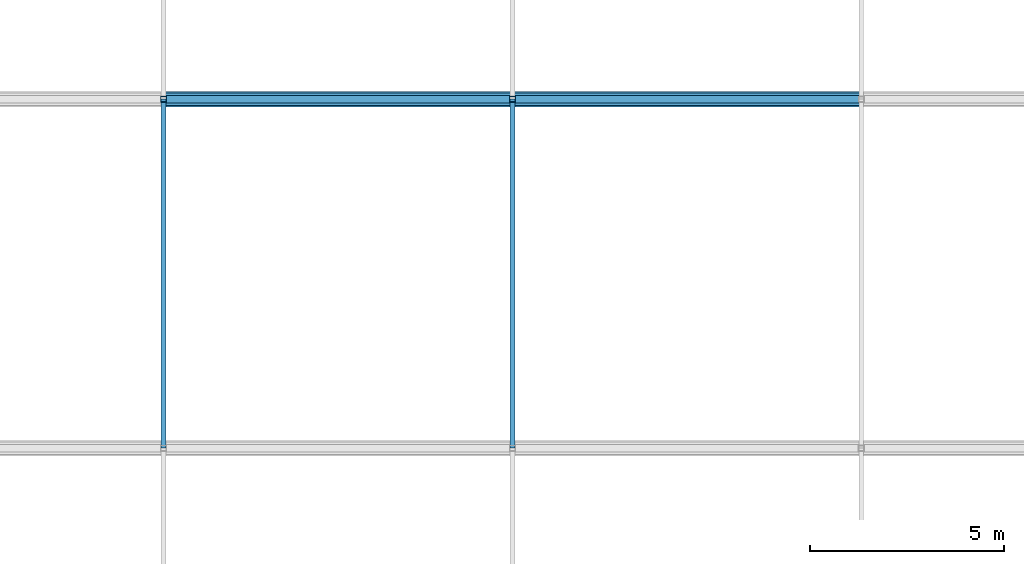
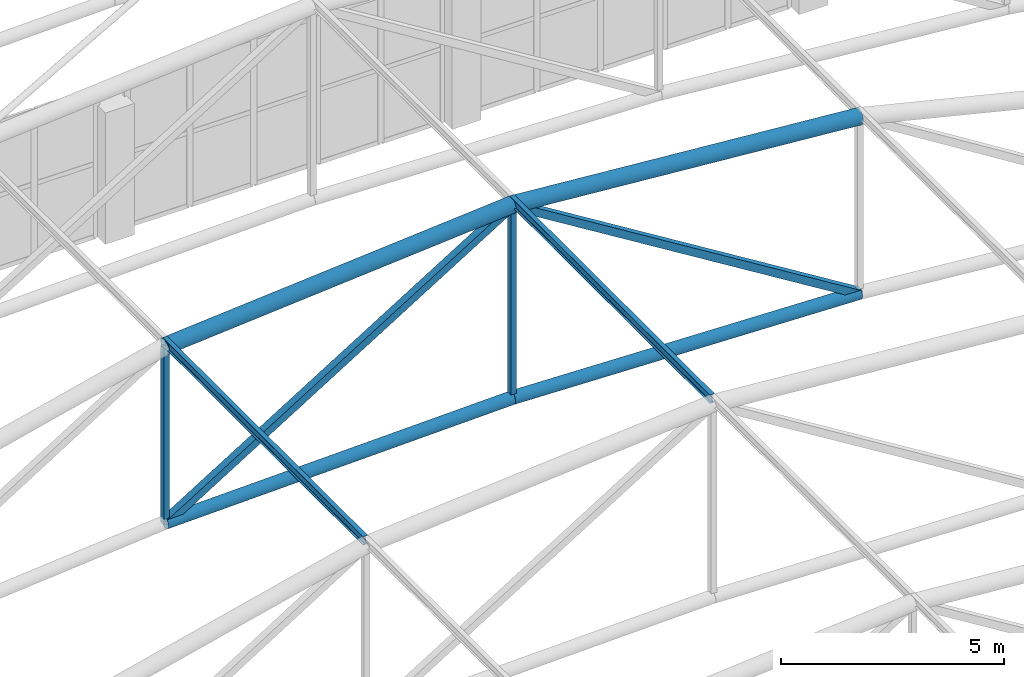
# One storey, part 57 of 167: 10 members.
"""IFC4 building model written with IfcOpenShell, lengths in metres."""

from ifc_helpers import new_model, si_unit, direction, frame, origin, origin_2d, place, context, subcontext, project, spatial, hollow_rectangle, hollow_circle, i_section, extrude, material, material_profile, profile_set, type_object, element, save


model = new_model("IFC4")

# Units and contexts
model_context = context("Model", 3, precision=1e-05, world=origin(), true_north=direction((0.0, 1.0)))
body_context = subcontext(model_context, "Body", "Model", "MODEL_VIEW")
ifc_project = project(units=[si_unit("LENGTHUNIT", "METRE"), si_unit("AREAUNIT", "SQUARE_METRE"), si_unit("VOLUMEUNIT", "CUBIC_METRE"), si_unit("PLANEANGLEUNIT", "RADIAN"), si_unit("MASSUNIT", "GRAM", prefix="KILO")], contexts=[model_context])

# Site, building, storey
site_placement = place(None, origin())
site = spatial("IfcSite", under=ifc_project, at=site_placement, CompositionType="ELEMENT")
building_placement = place(site_placement, origin())
building = spatial("IfcBuilding", under=site, at=building_placement, Name="Dornveld Trade and Exhibition Forum", CompositionType="ELEMENT")
storey_placement = place(building_placement, frame((0.0, 0.0, 16.800048828125)))
storey = spatial("IfcBuildingStorey", under=building, at=storey_placement, Name="L03", CompositionType="ELEMENT", Elevation=16.800048828125)

# Members
ifc_material_1 = material(Name="Steel S355J2", Category="steel")
ifc_material_profile_1 = material_profile(ifc_material_1, hollow_circle(Radius=0.161865234375, WallThickness=0.01611328125, at=origin_2d()), Name="CHS 323.9x16")
ifc_profile_set_1 = profile_set([ifc_material_profile_1], Name="Steel S355J2")
member_type_1 = type_object("IfcMemberType", Name="MEM-ARCH-BC", PredefinedType="CHORD", material=ifc_profile_set_1)
for number, where, z_axis, x_axis, name in (
    (1, (45.0, 117.0, 6.083251953125), (0.999561545365, 0.0, 0.029609407757), (0.0, 1.0, 0.0), "H3 truss 10 tie chord 3"),
    (2, (54.0, 117.0, 6.349853515625), (0.999561545365, 0.0, -0.029609407757), (0.0, 1.0, 0.0), "H3 truss 10 tie chord 4"),
):
    element("IfcMember", number, at=place(storey_placement, frame(where, z_axis=z_axis, x_axis=x_axis)), inside=storey, type_object=member_type_1, Name=name, PredefinedType="CHORD", context=body_context, shape_type="SweptSolid", body=[
        extrude(hollow_circle(Radius=0.161865234375, WallThickness=0.01611328125, at=origin_2d()), origin(), (0.0, 0.0, 1.0), 9.00390625),
    ])
ifc_material_2 = material(Name="Steel S355J2", Category="steel")
ifc_material_profile_2 = material_profile(ifc_material_2, hollow_rectangle(XDim=0.14990234375, YDim=0.14990234375, WallThickness=0.008056640625, at=origin_2d()), Name="SHS 150x150x8")
ifc_profile_set_2 = profile_set([ifc_material_profile_2], Name="Steel S355J2")
member_type_2 = type_object("IfcMemberType", Name="MEM-ARCH-STR", PredefinedType="STRUT", material=ifc_profile_set_2)
member_1_placement = place(storey_placement, frame((45.0, 117.0, 6.083251953125), z_axis=(0.0, 0.0, 1.0), x_axis=(1.0, 0.0, 0.0)))
element("IfcMember", 3, at=member_1_placement, inside=storey, type_object=member_type_2, Name="H3 truss 10 strut 3", PredefinedType="STRUT", context=body_context, shape_type="SweptSolid", body=[
    extrude(hollow_rectangle(XDim=0.14990234375, YDim=0.14990234375, WallThickness=0.008056640625, at=origin_2d()), origin(), (0.0, 0.0, 1.0), 4.83349609375),
])
member_2_placement = place(storey_placement, frame((54.0, 117.0, 6.349853515625), z_axis=(0.0, 0.0, 1.0), x_axis=(1.0, 0.0, 0.0)))
element("IfcMember", 4, at=member_2_placement, inside=storey, type_object=member_type_2, Name="H3 truss 10 strut 4", PredefinedType="STRUT", context=body_context, shape_type="SweptSolid", body=[
    extrude(hollow_rectangle(XDim=0.14990234375, YDim=0.14990234375, WallThickness=0.008056640625, at=origin_2d()), origin(), (0.0, 0.0, 1.0), 5.300048828125),
])
ifc_material_3 = material(Name="Steel S355J2", Category="steel")
ifc_material_profile_3 = material_profile(ifc_material_3, hollow_circle(Radius=0.203125, WallThickness=0.02001953125, at=origin_2d()), Name="CHS 406.4x20")
ifc_profile_set_3 = profile_set([ifc_material_profile_3], Name="Steel S355J2")
member_type_3 = type_object("IfcMemberType", Name="MEM-ARCH-TC", PredefinedType="CHORD", material=ifc_profile_set_3)
for number, where, z_axis, x_axis, name in (
    (5, (45.0, 117.0, 10.916748046875), (0.996698427641, 0.0, 0.081192637213), (0.0, 1.0, 0.0), "H3 truss 10 top chord 3"),
    (6, (54.0, 117.0, 11.64990234375), (0.996698427641, 0.0, -0.081192637213), (0.0, 1.0, 0.0), "H3 truss 10 top chord 4"),
):
    element("IfcMember", number, at=place(storey_placement, frame(where, z_axis=z_axis, x_axis=x_axis)), inside=storey, type_object=member_type_3, Name=name, PredefinedType="CHORD", context=body_context, shape_type="SweptSolid", body=[
        extrude(hollow_circle(Radius=0.203125, WallThickness=0.02001953125, at=origin_2d()), origin(), (0.0, 0.0, 1.0), 9.02978515625),
    ])
ifc_material_4 = material(Name="Steel S355J2", Category="steel")
ifc_material_profile_4 = material_profile(ifc_material_4, hollow_rectangle(XDim=0.199951171875, YDim=0.199951171875, WallThickness=0.010009765625, at=origin_2d()), Name="SHS 200x200x10")
ifc_profile_set_4 = profile_set([ifc_material_profile_4], Name="Steel S355J2")
member_type_4 = type_object("IfcMemberType", Name="MEM-ARCH-WEB", PredefinedType="BRACE", material=ifc_profile_set_4)
for number, where, z_axis, x_axis, name in (
    (7, (45.0, 117.0, 6.083251953125), (0.850467158024, 0.0, 0.526028148603), (0.0, 1.0, 0.0), "H3 truss 10 web 3"),
    (8, (63.0, 117.0, 6.083251953125), (-0.850467158024, 0.0, 0.526028148603), (0.0, -1.0, 0.0), "H3 truss 10 web 4"),
):
    element("IfcMember", number, at=place(storey_placement, frame(where, z_axis=z_axis, x_axis=x_axis)), inside=storey, type_object=member_type_4, Name=name, PredefinedType="BRACE", context=body_context, shape_type="SweptSolid", body=[
        extrude(hollow_rectangle(XDim=0.199951171875, YDim=0.199951171875, WallThickness=0.010009765625, at=origin_2d()), origin(), (0.0, 0.0, 1.0), 10.58251953125),
    ])
ifc_material_5 = material(Name="Steel S355J2", Category="steel")
ifc_material_profile_5 = material_profile(ifc_material_5, i_section(OverallWidth=0.1201171875, OverallDepth=0.239990234375, WebThickness=0.006103515625, FlangeThickness=0.009765625, FilletRadius=0.014892578125, at=origin_2d()), Name="IPE 240")
ifc_profile_set_5 = profile_set([ifc_material_profile_5], Name="Steel S355J2")
member_type_5 = type_object("IfcMemberType", Name="MEM-PURLIN-240", PredefinedType="PURLIN", material=ifc_profile_set_5)
for number, where, z_axis, x_axis, name in (
    (9, (45.0, 108.0, 11.048583984375), (0.0, 1.0, 0.0), (-1.0, 0.0, 0.0), "H3 bay 9 roof purlin 3"),
    (10, (54.0, 108.0, 11.781982421875), (0.0, 1.0, 0.0), (-1.0, 0.0, 0.0), "H3 bay 9 roof purlin 4"),
):
    element("IfcMember", number, at=place(storey_placement, frame(where, z_axis=z_axis, x_axis=x_axis)), inside=storey, type_object=member_type_5, Name=name, PredefinedType="PURLIN", context=body_context, shape_type="SweptSolid", body=[
        extrude(i_section(OverallWidth=0.1201171875, OverallDepth=0.239990234375, WebThickness=0.006103515625, FlangeThickness=0.009765625, FilletRadius=0.014892578125, at=origin_2d()), origin(), (0.0, 0.0, 1.0), 9.0),
    ])

save(model, "model.ifc")
